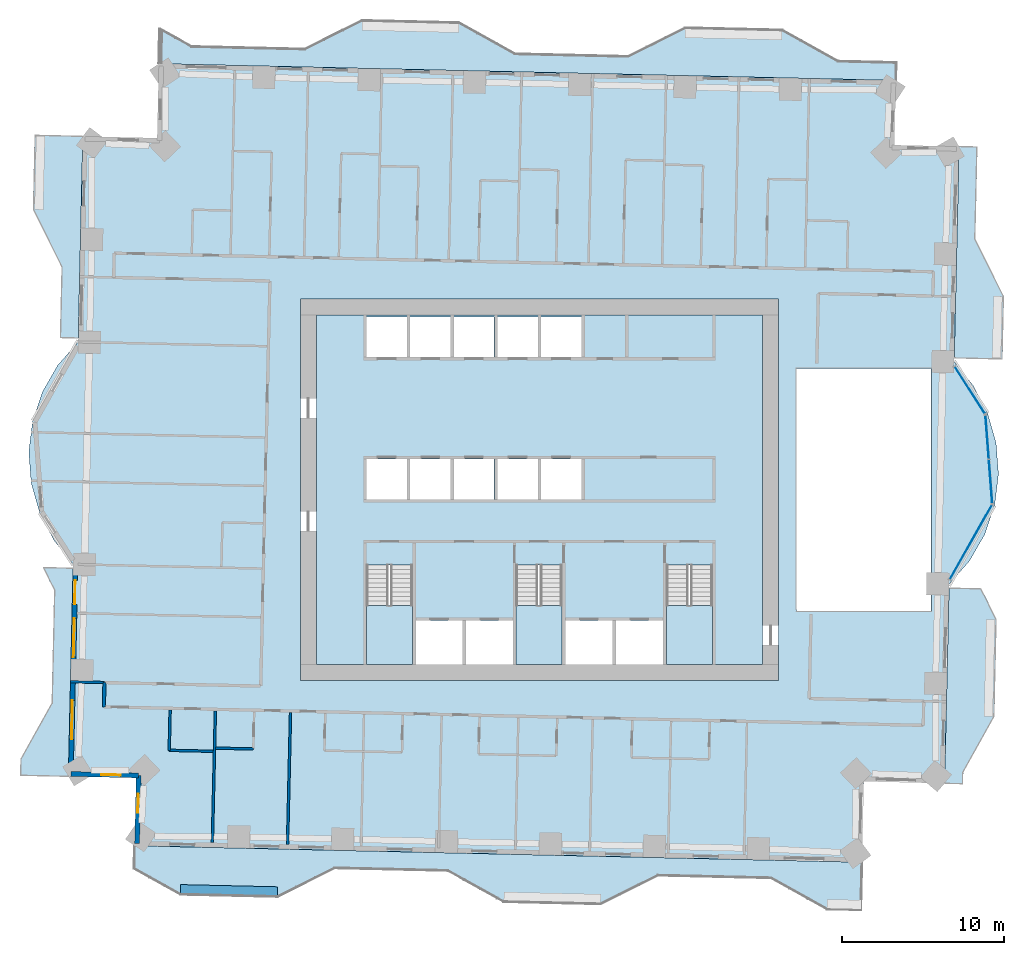
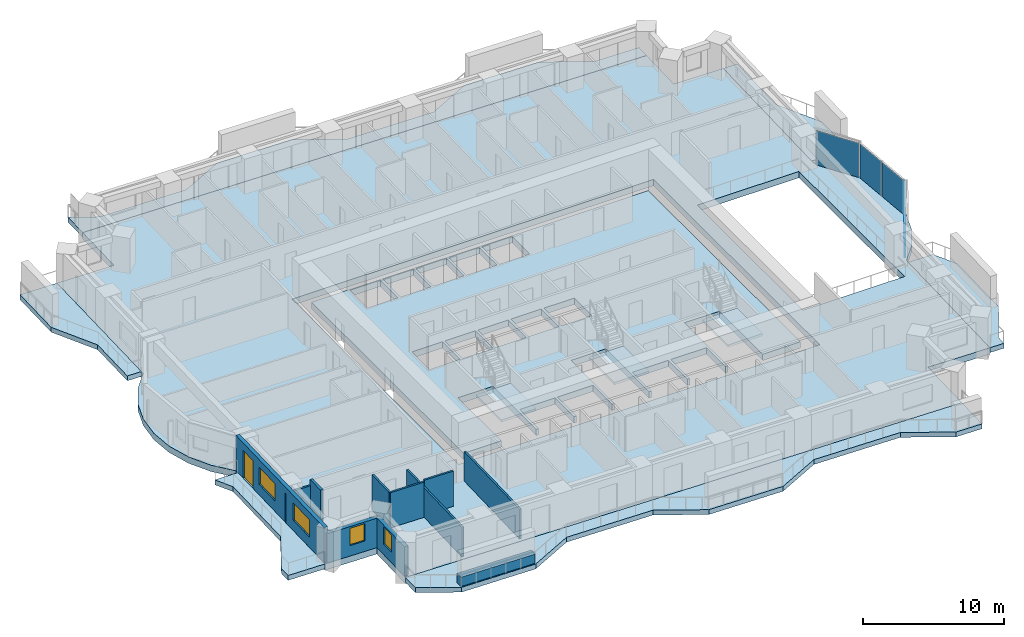
# One storey, part 5 of 16: 11 slabs, 11 walls, 4 plates, 4 windows, 1 door, 5 openings, 6 elements without a shape of their own.
"""IFC4 building model written with IfcOpenShell, lengths in metres."""

from ifc_helpers import new_model, si_unit, direction, frame, frame_2d, origin, origin_2d, place, context, subcontext, project, spatial, polyline, rectangle, outline, extrude, material, layer, layer_set, type_object, element, fill, aggregate, save


model = new_model("IFC4")

# Units and contexts
model_context = context("Model", 3, precision=1e-05, world=origin(), true_north=direction((0.0, 1.0)))
body_context = subcontext(model_context, "Body", "Model", "MODEL_VIEW")
ifc_project = project(units=[si_unit("LENGTHUNIT", "METRE"), si_unit("AREAUNIT", "SQUARE_METRE"), si_unit("VOLUMEUNIT", "CUBIC_METRE"), si_unit("PLANEANGLEUNIT", "RADIAN"), si_unit("MASSUNIT", "GRAM", prefix="KILO")], contexts=[model_context])

# Site, building, storey
site_placement = place(None, origin())
site = spatial("IfcSite", under=ifc_project, at=site_placement, CompositionType="ELEMENT")
building_placement = place(site_placement, origin())
building = spatial("IfcBuilding", under=site, at=building_placement, Name="Mangrove Gate Tower", CompositionType="ELEMENT")
storey_placement = place(building_placement, frame((0.0, 0.0, 109.10009765625)))
storey = spatial("IfcBuildingStorey", under=building, at=storey_placement, Name="L27", CompositionType="ELEMENT", Elevation=109.10009765625)

# Curtain wall, plate
ifc_material_1 = material(Name="Aluminium and glass curtain wall", Category="aluminium")
curtain_wall_type = type_object("IfcCurtainWallType", Name="Atrium garden-court glazing wall", PredefinedType="NOTDEFINED", material=ifc_material_1)
curtain_wall_1_placement = place(storey_placement, origin())
curtain_wall_1 = element("IfcCurtainWall", 1, at=curtain_wall_1_placement, inside=storey, type_object=curtain_wall_type, Name="Atrium garden-court glazing E1f1", PredefinedType="NOTDEFINED")
ifc_material_2 = material(Name="Laminated low-e glass", Category="glass")
ifc_layer_1 = layer(ifc_material_2, 0.031982421875)
ifc_layer_set_1 = layer_set([ifc_layer_1], Name="Atrium garden-court glazing panel 32")
plate_type = type_object("IfcPlateType", Name="Atrium garden-court glazing panel 32", PredefinedType="CURTAIN_PANEL", material=ifc_layer_set_1)
plate_1_placement = place(storey_placement, frame((26.68603515625, -3.244873046875, 0.0), z_axis=(0.0, 0.0, 1.0), x_axis=(0.492584614745, 0.870264555935, 0.0)))
plate_1 = element("IfcPlate", 2, at=plate_1_placement, type_object=plate_type, Name="CWA panel 1.1", PredefinedType="CURTAIN_PANEL", context=body_context, shape_type="SweptSolid", body=[
    extrude(rectangle(XDim=5.258056640625, YDim=0.031982421875, at=origin_2d()), origin(), (0.0, 0.0, 1.0), 2.97998046875),
])
aggregate(curtain_wall_1, [plate_1])

# Curtain wall, plates
curtain_wall_2_placement = place(storey_placement, origin())
curtain_wall_2 = element("IfcCurtainWall", 3, at=curtain_wall_2_placement, inside=storey, type_object=curtain_wall_type, Name="Atrium garden-court glazing E1f2", PredefinedType="NOTDEFINED")
plate_2_placement = place(storey_placement, frame((27.906982421875, 0.5107421875, 0.0), z_axis=(0.0, 0.0, 1.0), x_axis=(-0.077023348229, 0.997029289353, 0.0)))
plate_2 = element("IfcPlate", 4, at=plate_2_placement, type_object=plate_type, Name="CWA panel 1.1", PredefinedType="CURTAIN_PANEL", context=body_context, shape_type="SweptSolid", body=[
    extrude(rectangle(XDim=2.681640625, YDim=0.031982421875, at=origin_2d()), origin(), (0.0, 0.0, 1.0), 2.97998046875),
])
plate_3_placement = place(storey_placement, frame((27.69482421875, 3.25439453125, 0.0), z_axis=(0.0, 0.0, 1.0), x_axis=(-0.077023348229, 0.997029289353, 0.0)))
plate_3 = element("IfcPlate", 5, at=plate_3_placement, type_object=plate_type, Name="CWA panel 2.1", PredefinedType="CURTAIN_PANEL", context=body_context, shape_type="SweptSolid", body=[
    extrude(rectangle(XDim=2.681640625, YDim=0.031982421875, at=origin_2d()), origin(), (0.0, 0.0, 1.0), 2.97998046875),
])
aggregate(curtain_wall_2, [plate_2, plate_3])

# Curtain wall, plate
curtain_wall_3_placement = place(storey_placement, origin())
curtain_wall_3 = element("IfcCurtainWall", 6, at=curtain_wall_3_placement, inside=storey, type_object=curtain_wall_type, Name="Atrium garden-court glazing E1f3", PredefinedType="NOTDEFINED")
plate_4_placement = place(storey_placement, frame((26.621826171875, 6.162109375, 0.0), z_axis=(0.0, 0.0, 1.0), x_axis=(-0.540510523896, 0.841337253162, 0.0)))
plate_4 = element("IfcPlate", 7, at=plate_4_placement, type_object=plate_type, Name="CWA panel 1.1", PredefinedType="CURTAIN_PANEL", context=body_context, shape_type="SweptSolid", body=[
    extrude(rectangle(XDim=3.428466796875, YDim=0.031982421875, at=origin_2d()), origin(), (0.0, 0.0, 1.0), 2.97998046875),
])
aggregate(curtain_wall_3, [plate_4])

# Slabs
ifc_material_3 = material(Name="Porcelain tile")
ifc_layer_2 = layer(ifc_material_3, 0.02001953125, Name="Tile finish")
ifc_material_4 = material(Name="Cement sand screed")
ifc_layer_3 = layer(ifc_material_4, 0.0400390625, Name="Screed laid to falls")
ifc_material_5 = material(Name="Bituminous waterproofing membrane")
ifc_layer_4 = layer(ifc_material_5, 0.00390625, Name="Waterproofing")
ifc_material_6 = material(Name="Concrete C40/50", Category="concrete")
ifc_layer_5 = layer(ifc_material_6, 0.340087890625, Name="Balcony structural slab")
ifc_material_7 = material(Name="Limestone", Category="masonry")
ifc_layer_6 = layer(ifc_material_7, 0.01611328125, Name="Soffit lining")
ifc_layer_set_2 = layer_set([ifc_layer_2, ifc_layer_3, ifc_layer_4, ifc_layer_5, ifc_layer_6], Name="Balcony slab 420 C40/50")
slab_type_1 = type_object("IfcSlabType", Name="Balcony slab 420 C40/50", PredefinedType="FLOOR", material=ifc_layer_set_2)
slab_1_placement = place(storey_placement, frame((0.0, 0.0, -0.420166015625)))
element("IfcSlab", 8, at=slab_1_placement, inside=storey, type_object=slab_type_1, Name="BALCONY L27 E0", PredefinedType="FLOOR", context=body_context, shape_type="SweptSolid", body=[
    extrude(outline(polyline([(26.200927734375, -18.18603515625), (26.217041015625, -17.486083984375), (28.14599609375, -14.029052734375), (28.281982421875, -8.030029296875), (27.333984375, -6.134033203125), (25.3349609375, -6.087890625), (25.29296875, -7.962890625), (25.156982421875, -13.9609375), (25.076904296875, -17.4599609375), (25.06103515625, -18.159912109375), (26.200927734375, -18.18603515625)])), origin(), (0.0, 0.0, 1.0), 0.420166015625),
])
slab_2_placement = place(storey_placement, frame((0.0, 0.0, -0.420166015625)))
element("IfcSlab", 9, at=slab_2_placement, inside=storey, type_object=slab_type_1, Name="BALCONY L27 E1", PredefinedType="FLOOR", context=body_context, shape_type="SweptSolid", body=[
    extrude(outline(polyline([(28.64794921875, 8.091064453125), (28.736083984375, 11.964111328125), (26.966064453125, 15.5048828125), (27.094970703125, 21.2041015625), (25.955078125, 21.22998046875), (25.825927734375, 15.531005859375), (25.7470703125, 12.031982421875), (25.658935546875, 8.158935546875), (28.64794921875, 8.091064453125)])), origin(), (0.0, 0.0, 1.0), 0.420166015625),
])
slab_3_placement = place(storey_placement, frame((0.0, 0.0, -0.420166015625)))
element("IfcSlab", 10, at=slab_3_placement, inside=storey, type_object=slab_type_1, Name="BALCONY L27 N0", PredefinedType="FLOOR", context=body_context, shape_type="SweptSolid", body=[
    extrude(outline(polyline([(22.072998046875, 26.458984375), (18.469970703125, 26.541015625), (15.012939453125, 28.469970703125), (9.013916015625, 28.60595703125), (5.472900390625, 26.8359375), (-1.52490234375, 26.9951171875), (-4.98193359375, 28.924072265625), (-10.98095703125, 29.06005859375), (-14.52197265625, 27.291015625), (-21.52001953125, 27.448974609375), (-23.4990234375, 28.552978515625), (-23.549072265625, 26.35400390625), (22.047119140625, 25.320068359375), (22.072998046875, 26.458984375)])), origin(), (0.0, 0.0, 1.0), 0.420166015625),
])
slab_4_placement = place(storey_placement, frame((0.0, 0.0, -0.420166015625)))
element("IfcSlab", 11, at=slab_4_placement, inside=storey, type_object=slab_type_1, Name="BALCONY L27 W0", PredefinedType="FLOOR", context=body_context, shape_type="SweptSolid", body=[
    extrude(outline(polyline([(-31.241943359375, 21.927978515625), (-31.345947265625, 17.3291015625), (-29.575927734375, 13.7880859375), (-29.675048828125, 9.4140625), (-28.534912109375, 9.387939453125), (-28.43603515625, 13.761962890625), (-28.35693359375, 17.260986328125), (-28.251953125, 21.860107421875), (-31.241943359375, 21.927978515625)])), origin(), (0.0, 0.0, 1.0), 0.420166015625),
])
slab_5_placement = place(storey_placement, frame((0.0, 0.0, -0.420166015625)))
element("IfcSlab", 12, at=slab_5_placement, inside=storey, type_object=slab_type_1, Name="BALCONY L27 W1", PredefinedType="FLOOR", context=body_context, shape_type="SweptSolid", body=[
    extrude(outline(polyline([(-30.72509765625, -4.81591796875), (-30.030029296875, -6.20703125), (-30.18798828125, -13.205078125), (-32.116943359375, -16.662109375), (-32.139892578125, -17.662109375), (-29.15087890625, -17.72998046875), (-29.1279296875, -16.72998046875), (-29.049072265625, -13.23095703125), (-28.889892578125, -6.23291015625), (-28.85888671875, -4.85888671875), (-30.72509765625, -4.81591796875)])), origin(), (0.0, 0.0, 1.0), 0.420166015625),
])
slab_6_placement = place(storey_placement, frame((0.0, 0.0, -0.420166015625)))
element("IfcSlab", 13, at=slab_6_placement, inside=storey, type_object=slab_type_1, Name="BALCONY L27 S0", PredefinedType="FLOOR", context=body_context, shape_type="SweptSolid", body=[
    extrude(outline(polyline([(-25.080078125, -23.47900390625), (-22.2119140625, -25.0791015625), (-16.212890625, -25.215087890625), (-12.672119140625, -23.445068359375), (-5.674072265625, -23.60400390625), (-2.217041015625, -25.532958984375), (3.781982421875, -25.6689453125), (7.322998046875, -23.89990234375), (14.321044921875, -24.05810546875), (17.778076171875, -25.987060546875), (19.881103515625, -26.033935546875), (19.948974609375, -23.044921875), (-25.047119140625, -22.02392578125), (-25.080078125, -23.47900390625)])), origin(), (0.0, 0.0, 1.0), 0.420166015625),
])
ifc_material_8 = material(Name="Concrete C40/50", Category="concrete")
ifc_layer_7 = layer(ifc_material_8, 0.550048828125)
ifc_layer_set_3 = layer_set([ifc_layer_7], Name="Core floor slab 550 C40/50")
slab_type_2 = type_object("IfcSlabType", Name="Core floor slab 550 C40/50", PredefinedType="FLOOR", material=ifc_layer_set_3)
slab_7_placement = place(storey_placement, frame((0.0, 0.0, -0.550048828125)))
element("IfcSlab", 14, at=slab_7_placement, inside=storey, type_object=slab_type_2, Name="SLAB-L27-CORE-1", PredefinedType="FLOOR", context=body_context, shape_type="SweptSolid", body=[
    extrude(outline(polyline([(-13.800048828125, -10.800048828125), (-13.800048828125, 10.800048828125), (13.800048828125, 10.800048828125), (13.800048828125, -10.800048828125), (10.699951171875, -10.800048828125), (10.699951171875, -4.653076171875), (7.85009765625, -4.653076171875), (7.85009765625, -10.800048828125), (7.64990234375, -10.800048828125), (7.64990234375, -8.10009765625), (4.72509765625, -8.10009765625), (4.72509765625, -10.800048828125), (4.52490234375, -10.800048828125), (4.52490234375, -8.10009765625), (1.60009765625, -8.10009765625), (1.60009765625, -10.800048828125), (1.39990234375, -10.800048828125), (1.39990234375, -4.653076171875), (-1.449951171875, -4.653076171875), (-1.449951171875, -10.800048828125), (-1.64990234375, -10.800048828125), (-1.64990234375, -8.10009765625), (-4.550048828125, -8.10009765625), (-4.550048828125, -10.800048828125), (-4.75, -10.800048828125), (-4.75, -8.10009765625), (-7.64990234375, -8.10009765625), (-7.64990234375, -10.800048828125), (-7.85009765625, -10.800048828125), (-7.85009765625, -4.653076171875), (-10.699951171875, -4.653076171875), (-10.699951171875, -10.800048828125), (-13.800048828125, -10.800048828125)]), holes=[polyline([(-8.199951171875, -0.60009765625), (-8.199951171875, 1.89990234375), (-10.699951171875, 1.89990234375), (-10.699951171875, -0.60009765625), (-8.199951171875, -0.60009765625)]), polyline([(-5.5, -0.60009765625), (-5.5, 1.89990234375), (-8.0, 1.89990234375), (-8.0, -0.60009765625), (-5.5, -0.60009765625)]), polyline([(-2.800048828125, -0.60009765625), (-2.800048828125, 1.89990234375), (-5.300048828125, 1.89990234375), (-5.300048828125, -0.60009765625), (-2.800048828125, -0.60009765625)]), polyline([(-8.199951171875, 8.199951171875), (-8.199951171875, 10.699951171875), (-10.699951171875, 10.699951171875), (-10.699951171875, 8.199951171875), (-8.199951171875, 8.199951171875)]), polyline([(-5.5, 8.199951171875), (-5.5, 10.699951171875), (-8.0, 10.699951171875), (-8.0, 8.199951171875), (-5.5, 8.199951171875)]), polyline([(-2.800048828125, 8.199951171875), (-2.800048828125, 10.699951171875), (-5.300048828125, 10.699951171875), (-5.300048828125, 8.199951171875), (-2.800048828125, 8.199951171875)]), polyline([(-0.10009765625, -0.60009765625), (-0.10009765625, 1.89990234375), (-2.60009765625, 1.89990234375), (-2.60009765625, -0.60009765625), (-0.10009765625, -0.60009765625)]), polyline([(2.60009765625, -0.60009765625), (2.60009765625, 1.89990234375), (0.10009765625, 1.89990234375), (0.10009765625, -0.60009765625), (2.60009765625, -0.60009765625)]), polyline([(-2.60009765625, 8.199951171875), (-0.10009765625, 8.199951171875), (-0.10009765625, 10.699951171875), (-2.60009765625, 10.699951171875), (-2.60009765625, 8.199951171875)]), polyline([(0.10009765625, 8.199951171875), (2.60009765625, 8.199951171875), (2.60009765625, 10.699951171875), (0.10009765625, 10.699951171875), (0.10009765625, 8.199951171875)])]), origin(), (0.0, 0.0, 1.0), 0.550048828125),
])

# Stair, slab
ifc_material_9 = material(Name="Concrete C40/50", Category="concrete")
stair_type = type_object("IfcStairType", Name="Core stair 1350", PredefinedType="HALF_TURN_STAIR", material=ifc_material_9)
stair_1_placement = place(storey_placement, origin())
stair_1 = element("IfcStair", 15, at=stair_1_placement, inside=storey, type_object=stair_type, Name="L27 Stair 1", PredefinedType="HALF_TURN_STAIR")
ifc_material_10 = material(Name="Concrete C40/50", Category="concrete")
ifc_layer_8 = layer(ifc_material_10, 0.199951171875)
ifc_layer_set_4 = layer_set([ifc_layer_8], Name="Core stair landing 200")
slab_type_3 = type_object("IfcSlabType", Name="Core stair landing 200", PredefinedType="LANDING", material=ifc_layer_set_4)
slab_8_placement = place(storey_placement, frame((0.0, 0.0, 1.599853515625)))
slab_8 = element("IfcSlab", 16, at=slab_8_placement, type_object=slab_type_3, Name="ST1 landing 1", PredefinedType="LANDING", context=body_context, shape_type="SweptSolid", body=[
    extrude(outline(polyline([(-10.699951171875, -7.169921875), (-10.699951171875, -10.800048828125), (-7.85009765625, -10.800048828125), (-7.85009765625, -7.169921875), (-10.699951171875, -7.169921875)])), origin(), (0.0, 0.0, 1.0), 0.199951171875),
])
aggregate(stair_1, [slab_8])

stair_2_placement = place(storey_placement, origin())
stair_2 = element("IfcStair", 17, at=stair_2_placement, inside=storey, type_object=stair_type, Name="L27 Stair 2", PredefinedType="HALF_TURN_STAIR")
slab_9_placement = place(storey_placement, frame((0.0, 0.0, 1.599853515625)))
slab_9 = element("IfcSlab", 18, at=slab_9_placement, type_object=slab_type_3, Name="ST2 landing 1", PredefinedType="LANDING", context=body_context, shape_type="SweptSolid", body=[
    extrude(outline(polyline([(-1.449951171875, -7.169921875), (-1.449951171875, -10.800048828125), (1.39990234375, -10.800048828125), (1.39990234375, -7.169921875), (-1.449951171875, -7.169921875)])), origin(), (0.0, 0.0, 1.0), 0.199951171875),
])
aggregate(stair_2, [slab_9])

stair_3_placement = place(storey_placement, origin())
stair_3 = element("IfcStair", 19, at=stair_3_placement, inside=storey, type_object=stair_type, Name="L27 Stair 3", PredefinedType="HALF_TURN_STAIR")
slab_10_placement = place(storey_placement, frame((0.0, 0.0, 1.599853515625)))
slab_10 = element("IfcSlab", 20, at=slab_10_placement, type_object=slab_type_3, Name="ST3 landing 1", PredefinedType="LANDING", context=body_context, shape_type="SweptSolid", body=[
    extrude(outline(polyline([(7.85009765625, -7.169921875), (7.85009765625, -10.800048828125), (10.699951171875, -10.800048828125), (10.699951171875, -7.169921875), (7.85009765625, -7.169921875)])), origin(), (0.0, 0.0, 1.0), 0.199951171875),
])
aggregate(stair_3, [slab_10])

# Slab
ifc_material_11 = material(Name="Concrete C40/50", Category="concrete")
ifc_layer_9 = layer(ifc_material_11, 0.550048828125)
ifc_layer_set_5 = layer_set([ifc_layer_9], Name="Floor slab 550 C40/50")
slab_type_4 = type_object("IfcSlabType", Name="Floor slab 550 C40/50", PredefinedType="FLOOR", material=ifc_layer_set_5)
slab_11_placement = place(storey_placement, frame((0.0, 0.0, -0.550048828125)))
element("IfcSlab", 21, at=slab_11_placement, inside=storey, type_object=slab_type_4, Name="Floor slab L27", PredefinedType="FLOOR", context=body_context, shape_type="SweptSolid", body=[
    extrude(outline(polyline([(-25.047119140625, -22.024169921875), (19.94921875, -23.045166015625), (20.062744140625, -18.046630859375), (25.0615234375, -18.159912109375), (25.341064453125, -5.83837890625), (26.60400390625, -4.40185546875), (27.55712890625, -2.74365234375), (28.16259765625, -0.92919921875), (28.396240234375, 0.96923828125), (28.2490234375, 2.87646484375), (27.7265625, 4.71630859375), (26.849609375, 6.416259765625), (25.653076171875, 7.90869140625), (25.955322265625, 21.22998046875), (21.956298828125, 21.320556640625), (22.047119140625, 25.319580078125), (-23.549072265625, 26.354248046875), (-23.653564453125, 21.755615234375), (-28.25244140625, 21.85986328125), (-28.541015625, 9.138427734375), (-29.803955078125, 7.701904296875), (-30.757080078125, 6.043701171875), (-31.362548828125, 4.229248046875), (-31.59619140625, 2.330810546875), (-31.448974609375, 0.423583984375), (-30.926513671875, -1.41650390625), (-30.049560546875, -3.1162109375), (-28.85302734375, -4.608642578125), (-29.15087890625, -17.72998046875), (-24.951904296875, -17.8251953125), (-25.047119140625, -22.024169921875)]), holes=[polyline([(15.89990234375, 7.5), (24.22705078125, 7.5), (24.22705078125, -7.5), (15.89990234375, -7.5), (15.89990234375, 7.5)]), polyline([(-14.800048828125, -11.800048828125), (-14.800048828125, 11.800048828125), (14.800048828125, 11.800048828125), (14.800048828125, -11.800048828125), (-14.800048828125, -11.800048828125)])]), origin(), (0.0, 0.0, 1.0), 0.550048828125),
])

# Wall
ifc_material_12 = material(Name="Gypsum board on steel stud, EI 60", Category="steel")
ifc_layer_10 = layer(ifc_material_12, 0.199951171875)
ifc_layer_set_6 = layer_set([ifc_layer_10], Name="Corridor wall EI 60")
wall_type_1 = type_object("IfcWallType", Name="Corridor wall EI 60", PredefinedType="PARTITIONING", material=ifc_layer_set_6)
wall_1_placement = place(storey_placement, frame((-26.948974609375, -13.428955078125, 0.0), z_axis=(0.0, 0.0, 1.0), x_axis=(0.022617910375, 0.999744182344, 0.0)))
element("IfcWall", 22, at=wall_1_placement, inside=storey, type_object=wall_type_1, Name="WALL-L27-023", PredefinedType="PARTITIONING", context=body_context, shape_type="SweptSolid", body=[
    extrude(rectangle(XDim=1.50048828125, YDim=0.199951171875, at=frame_2d((0.750244140625, 0.0))), origin(), (0.0, 0.0, 1.0), 3.0498046875),
])

# Wall, openings, door, windows
ifc_layer_11 = layer(ifc_material_7, 0.0400390625, Name="Limestone cladding")
ifc_material_13 = material(Name="Ventilated air gap")
ifc_layer_12 = layer(ifc_material_13, 0.0400390625, Name="Ventilated cavity")
ifc_material_14 = material(Name="Mineral wool insulation")
ifc_layer_13 = layer(ifc_material_14, 0.06005859375, Name="Insulation")
ifc_material_15 = material(Name="Breather membrane")
ifc_layer_14 = layer(ifc_material_15, 0.001953125, Name="Breather membrane")
ifc_material_16 = material(Name="Concrete C20/25 blockwork", Category="masonry")
ifc_layer_15 = layer(ifc_material_16, 0.14990234375, Name="Blockwork backing wall")
ifc_material_17 = material(Name="Gypsum plaster")
ifc_layer_16 = layer(ifc_material_17, 0.008056640625, Name="Internal plaster")
ifc_layer_set_7 = layer_set([ifc_layer_11, ifc_layer_12, ifc_layer_13, ifc_layer_14, ifc_layer_15, ifc_layer_16], Name="External wall 300 limestone cladding")
wall_type_2 = type_object("IfcWallType", Name="External wall 300 limestone cladding", PredefinedType="SOLIDWALL", material=ifc_layer_set_7)
wall_2_placement = place(storey_placement, frame((-28.701904296875, -4.556884765625, 0.0), z_axis=(0.0, 0.0, 1.0), x_axis=(-0.022653729471, -0.999743371341, 0.0)))
wall_2 = element("IfcWall", 23, at=wall_2_placement, inside=storey, type_object=wall_type_2, Name="WALL-L27-W10", PredefinedType="SOLIDWALL", context=body_context, shape_type="SweptSolid", body=[
    extrude(rectangle(XDim=13.029541015625, YDim=0.300048828125, at=frame_2d((6.5146484375, 0.0))), origin(), (0.0, 0.0, 1.0), 3.0498046875),
])
opening_1_placement = place(wall_2_placement, frame((1.0419921875, 0.0, 0.0)))
opening_1 = element("IfcOpeningElement", 24, at=opening_1_placement, cuts=wall_2, Name="Opening BD1", PredefinedType="OPENING", context=body_context, shape_type="SweptSolid", body=[
    extrude(rectangle(XDim=1.5, YDim=2.39990234375, at=frame_2d((0.75, 1.199951171875))), frame((0.0, 0.159912109375, 0.0), z_axis=(0.0, -1.0, 0.0), x_axis=(1.0, 0.0, 0.0)), (0.0, 0.0, 1.0), 0.320068359375),
])
opening_2_placement = place(wall_2_placement, frame((3.39794921875, 0.0, 0.89990234375)))
opening_2 = element("IfcOpeningElement", 25, at=opening_2_placement, cuts=wall_2, Name="Opening W2", PredefinedType="OPENING", context=body_context, shape_type="SweptSolid", body=[
    extrude(rectangle(XDim=2.39990234375, YDim=1.5, at=frame_2d((1.199951171875, 0.75))), frame((0.0, 0.159912109375, 0.0), z_axis=(0.0, -1.0, 0.0), x_axis=(1.0, 0.0, 0.0)), (0.0, 0.0, 1.0), 0.320068359375),
])
opening_3_placement = place(wall_2_placement, frame((8.48193359375, 0.0, 0.89990234375)))
opening_3 = element("IfcOpeningElement", 26, at=opening_3_placement, cuts=wall_2, Name="Opening W2", PredefinedType="OPENING", context=body_context, shape_type="SweptSolid", body=[
    extrude(rectangle(XDim=2.39990234375, YDim=1.5, at=frame_2d((1.199951171875, 0.75))), frame((0.0, 0.159912109375, 0.0), z_axis=(0.0, -1.0, 0.0), x_axis=(1.0, 0.0, 0.0)), (0.0, 0.0, 1.0), 0.320068359375),
])
ifc_material_18 = material(Name="Aluminium frame with laminated clear glass", Category="aluminium")
door_type = type_object("IfcDoorType", Name="Balcony sliding door 1500x2400", OperationType="SLIDING_TO_LEFT", PredefinedType="DOOR", material=ifc_material_18)
door_placement = place(opening_1_placement, origin())
door = element("IfcDoor", 27, at=door_placement, inside=storey, type_object=door_type, Name="DOOR-L27-W10-1", OperationType="SLIDING_TO_LEFT", OverallHeight=2.39990234375, OverallWidth=1.5, PredefinedType="DOOR", context=body_context, shape_type="SweptSolid", body=[
    extrude(rectangle(XDim=1.5, YDim=2.39990234375, at=frame_2d((0.75, 1.199951171875))), frame((0.0, 0.02490234375, 0.0), z_axis=(0.0, -1.0, 0.0), x_axis=(1.0, 0.0, 0.0)), (0.0, 0.0, 1.0), 0.050048828125),
])
fill(opening_1, door)
ifc_material_19 = material(Name="Aluminium frame with double-glazed low-e glass", Category="aluminium")
window_type_1 = type_object("IfcWindowType", Name="Corner room window 2400x1500", PartitioningType="DOUBLE_PANEL_VERTICAL", PredefinedType="WINDOW", material=ifc_material_19)
window_1_placement = place(opening_2_placement, origin())
window_1 = element("IfcWindow", 28, at=window_1_placement, inside=storey, type_object=window_type_1, Name="WIN-L27-W10-2", OverallHeight=1.5, OverallWidth=2.39990234375, PartitioningType="DOUBLE_PANEL_VERTICAL", PredefinedType="WINDOW", context=body_context, shape_type="SweptSolid", body=[
    extrude(rectangle(XDim=2.39990234375, YDim=1.5, at=frame_2d((1.199951171875, 0.75))), frame((0.0, 0.030029296875, 0.0), z_axis=(0.0, -1.0, 0.0), x_axis=(1.0, 0.0, 0.0)), (0.0, 0.0, 1.0), 0.06005859375),
])
fill(opening_2, window_1)
window_2_placement = place(opening_3_placement, origin())
window_2 = element("IfcWindow", 29, at=window_2_placement, inside=storey, type_object=window_type_1, Name="WIN-L27-W10-3", OverallHeight=1.5, OverallWidth=2.39990234375, PartitioningType="DOUBLE_PANEL_VERTICAL", PredefinedType="WINDOW", context=body_context, shape_type="SweptSolid", body=[
    extrude(rectangle(XDim=2.39990234375, YDim=1.5, at=frame_2d((1.199951171875, 0.75))), frame((0.0, 0.030029296875, 0.0), z_axis=(0.0, -1.0, 0.0), x_axis=(1.0, 0.0, 0.0)), (0.0, 0.0, 1.0), 0.06005859375),
])
fill(opening_3, window_2)

# Wall, opening, window
wall_3_placement = place(storey_placement, frame((-28.9970703125, -17.5830078125, 0.0), z_axis=(0.0, 0.0, 1.0), x_axis=(0.999739037152, -0.022844202663, 0.0)))
wall_3 = element("IfcWall", 30, at=wall_3_placement, inside=storey, type_object=wall_type_2, Name="WALL-L27-S11", PredefinedType="SOLIDWALL", context=body_context, shape_type="SweptSolid", body=[
    extrude(rectangle(XDim=4.199951171875, YDim=0.300048828125, at=frame_2d((2.10009765625, 0.0))), origin(), (0.0, 0.0, 1.0), 2.5498046875),
])
opening_4_placement = place(wall_3_placement, frame((1.881103515625, 0.0, 0.89990234375)))
opening_4 = element("IfcOpeningElement", 31, at=opening_4_placement, cuts=wall_3, Name="Opening W1", PredefinedType="OPENING", context=body_context, shape_type="SweptSolid", body=[
    extrude(rectangle(XDim=1.199951171875, YDim=1.5, at=frame_2d((0.60009765625, 0.75))), frame((0.0, 0.159912109375, 0.0), z_axis=(0.0, -1.0, 0.0), x_axis=(1.0, 0.0, 0.0)), (0.0, 0.0, 1.0), 0.320068359375),
])
ifc_material_20 = material(Name="Aluminium frame with double-glazed low-e glass", Category="aluminium")
window_type_2 = type_object("IfcWindowType", Name="Side lite 1200x1500", PartitioningType="SINGLE_PANEL", PredefinedType="WINDOW", material=ifc_material_20)
window_3_placement = place(opening_4_placement, origin())
window_3 = element("IfcWindow", 32, at=window_3_placement, inside=storey, type_object=window_type_2, Name="WIN-L27-S11-1", OverallHeight=1.5, OverallWidth=1.199951171875, PartitioningType="SINGLE_PANEL", PredefinedType="WINDOW", context=body_context, shape_type="SweptSolid", body=[
    extrude(rectangle(XDim=1.199951171875, YDim=1.5, at=frame_2d((0.60009765625, 0.75))), frame((0.0, 0.030029296875, 0.0), z_axis=(0.0, -1.0, 0.0), x_axis=(1.0, 0.0, 0.0)), (0.0, 0.0, 1.0), 0.06005859375),
])
fill(opening_4, window_3)

wall_4_placement = place(storey_placement, frame((-24.798095703125, -17.678955078125, 0.0), z_axis=(0.0, 0.0, 1.0), x_axis=(-0.022844202663, -0.999739037152, 0.0)))
wall_4 = element("IfcWall", 33, at=wall_4_placement, inside=storey, type_object=wall_type_2, Name="WALL-L27-W12", PredefinedType="SOLIDWALL", context=body_context, shape_type="SweptSolid", body=[
    extrude(rectangle(XDim=4.199951171875, YDim=0.300048828125, at=frame_2d((2.10009765625, 0.0))), origin(), (0.0, 0.0, 1.0), 2.5498046875),
])
opening_5_placement = place(wall_4_placement, frame((1.1201171875, 0.0, 0.89990234375)))
opening_5 = element("IfcOpeningElement", 34, at=opening_5_placement, cuts=wall_4, Name="Opening W1", PredefinedType="OPENING", context=body_context, shape_type="SweptSolid", body=[
    extrude(rectangle(XDim=1.199951171875, YDim=1.5, at=frame_2d((0.60009765625, 0.75))), frame((0.0, 0.159912109375, 0.0), z_axis=(0.0, -1.0, 0.0), x_axis=(1.0, 0.0, 0.0)), (0.0, 0.0, 1.0), 0.320068359375),
])
window_4_placement = place(opening_5_placement, origin())
window_4 = element("IfcWindow", 35, at=window_4_placement, inside=storey, type_object=window_type_2, Name="WIN-L27-W12-1", OverallHeight=1.5, OverallWidth=1.199951171875, PartitioningType="SINGLE_PANEL", PredefinedType="WINDOW", context=body_context, shape_type="SweptSolid", body=[
    extrude(rectangle(XDim=1.199951171875, YDim=1.5, at=frame_2d((0.60009765625, 0.75))), frame((0.0, 0.030029296875, 0.0), z_axis=(0.0, -1.0, 0.0), x_axis=(1.0, 0.0, 0.0)), (0.0, 0.0, 1.0), 0.06005859375),
])
fill(opening_5, window_4)

# Walls
ifc_material_21 = material(Name="Gypsum board on steel stud, EI 60", Category="steel")
ifc_layer_17 = layer(ifc_material_21, 0.14990234375)
ifc_layer_set_8 = layer_set([ifc_layer_17], Name="Party wall 150 EI 60")
wall_type_3 = type_object("IfcWallType", Name="Party wall 150 EI 60", PredefinedType="PARTITIONING", material=ifc_layer_set_8)
wall_5_placement = place(storey_placement, frame((-20.238037109375, -21.833984375, 0.0), z_axis=(0.0, 0.0, 1.0), x_axis=(0.0227037155, 0.99974223743, 0.0)))
element("IfcWall", 36, at=wall_5_placement, inside=storey, type_object=wall_type_3, Name="WALL-L27-001", PredefinedType="PARTITIONING", context=body_context, shape_type="SweptSolid", body=[
    extrude(rectangle(XDim=8.151123046875, YDim=0.14990234375, at=frame_2d((4.07568359375, 0.0))), origin(), (0.0, 0.0, 1.0), 2.5498046875),
])
wall_6_placement = place(storey_placement, frame((-15.589111328125, -21.93896484375, 0.0), z_axis=(0.0, 0.0, 1.0), x_axis=(0.022706435224, 0.999742175663, 0.0)))
element("IfcWall", 37, at=wall_6_placement, inside=storey, type_object=wall_type_3, Name="WALL-L27-002", PredefinedType="PARTITIONING", context=body_context, shape_type="SweptSolid", body=[
    extrude(rectangle(XDim=8.150146484375, YDim=0.14990234375, at=frame_2d((4.0751953125, 0.0))), origin(), (0.0, 0.0, 1.0), 2.5498046875),
])
wall_7_placement = place(storey_placement, frame((-22.9130859375, -16.12109375, 0.0), z_axis=(0.0, 0.0, 1.0), x_axis=(0.999741187782, -0.022749889061, 0.0)))
element("IfcWall", 38, at=wall_7_placement, inside=storey, type_object=wall_type_3, Name="WALL-L27-009", PredefinedType="PARTITIONING", context=body_context, shape_type="SweptSolid", body=[
    extrude(rectangle(XDim=2.725830078125, YDim=0.14990234375, at=frame_2d((1.36279296875, 0.0))), origin(), (0.0, 0.0, 1.0), 3.0498046875),
])
wall_8_placement = place(storey_placement, frame((-22.908935546875, -16.12109375, 0.0), z_axis=(0.0, 0.0, 1.0), x_axis=(0.022756903044, 0.999741028149, 0.0)))
element("IfcWall", 39, at=wall_8_placement, inside=storey, type_object=wall_type_3, Name="WALL-L27-010", PredefinedType="PARTITIONING", context=body_context, shape_type="SweptSolid", body=[
    extrude(rectangle(XDim=2.499755859375, YDim=0.14990234375, at=frame_2d((1.25, 0.0))), origin(), (0.0, 0.0, 1.0), 3.0498046875),
])
wall_9_placement = place(storey_placement, frame((-20.033935546875, -15.986083984375, 0.0), z_axis=(0.0, 0.0, 1.0), x_axis=(0.999740478815, -0.022781023197, 0.0)))
element("IfcWall", 40, at=wall_9_placement, inside=storey, type_object=wall_type_3, Name="WALL-L27-011", PredefinedType="PARTITIONING", context=body_context, shape_type="SweptSolid", body=[
    extrude(rectangle(XDim=2.325439453125, YDim=0.14990234375, at=frame_2d((1.16259765625, 0.0))), origin(), (0.0, 0.0, 1.0), 3.0498046875),
])
wall_10_placement = place(storey_placement, frame((-29.01806640625, -11.881103515625, 0.0), z_axis=(0.0, 0.0, 1.0), x_axis=(0.999741236023, -0.022747769011, 0.0)))
element("IfcWall", 41, at=wall_10_placement, inside=storey, type_object=wall_type_3, Name="WALL-L27-025", PredefinedType="PARTITIONING", context=body_context, shape_type="SweptSolid", body=[
    extrude(rectangle(XDim=2.103515625, YDim=0.14990234375, at=frame_2d((1.0517578125, 0.0))), origin(), (0.0, 0.0, 1.0), 2.5498046875),
])
ifc_material_22 = material(Name="Concrete C32/40", Category="concrete")
ifc_layer_18 = layer(ifc_material_22, 0.199951171875, Name="Planter trough wall")
ifc_layer_19 = layer(ifc_material_5, 0.0048828125, Name="Waterproofing")
ifc_material_23 = material(Name="Drainage board and gravel")
ifc_layer_20 = layer(ifc_material_23, 0.044921875, Name="Drainage layer")
ifc_material_24 = material(Name="Planting soil")
ifc_layer_21 = layer(ifc_material_24, 0.300048828125, Name="Growing medium")
ifc_layer_set_9 = layer_set([ifc_layer_18, ifc_layer_19, ifc_layer_20, ifc_layer_21], Name="Planter wall 550 C32/40")
wall_type_4 = type_object("IfcWallType", Name="Planter wall 550 C32/40", PredefinedType="USERDEFINED", material=ifc_layer_set_9)
wall_11_placement = place(storey_placement, frame((-22.202880859375, -24.7041015625, 0.0), z_axis=(0.0, 0.0, 1.0), x_axis=(0.999743073592, -0.022666865795, 0.0)))
element("IfcWall", 42, at=wall_11_placement, inside=storey, type_object=wall_type_4, Name="PLANTER L27 S0.1", ObjectType="PLANTER", PredefinedType="USERDEFINED", context=body_context, shape_type="SweptSolid", body=[
    extrude(rectangle(XDim=5.999267578125, YDim=0.550048828125, at=frame_2d((2.99951171875, 0.0))), origin(), (0.0, 0.0, 1.0), 0.7998046875),
])

save(model, "model.ifc")
